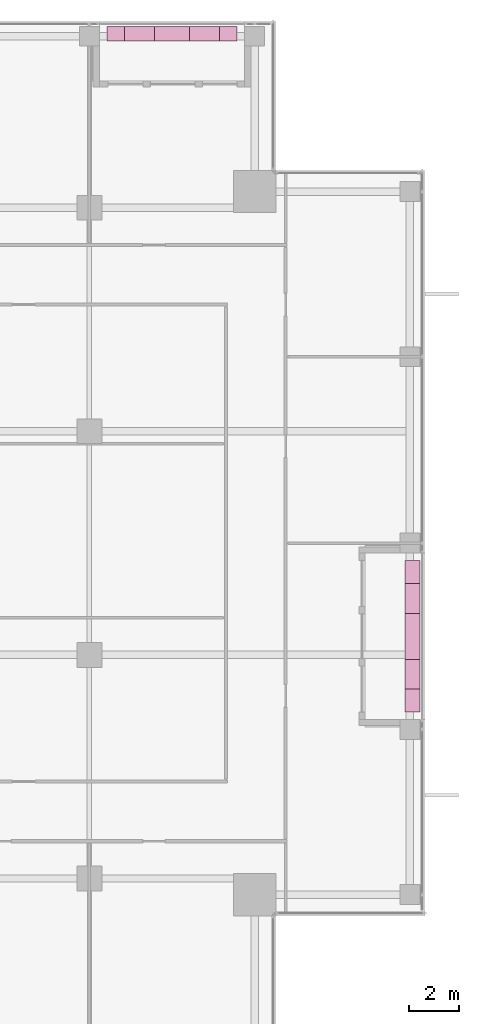
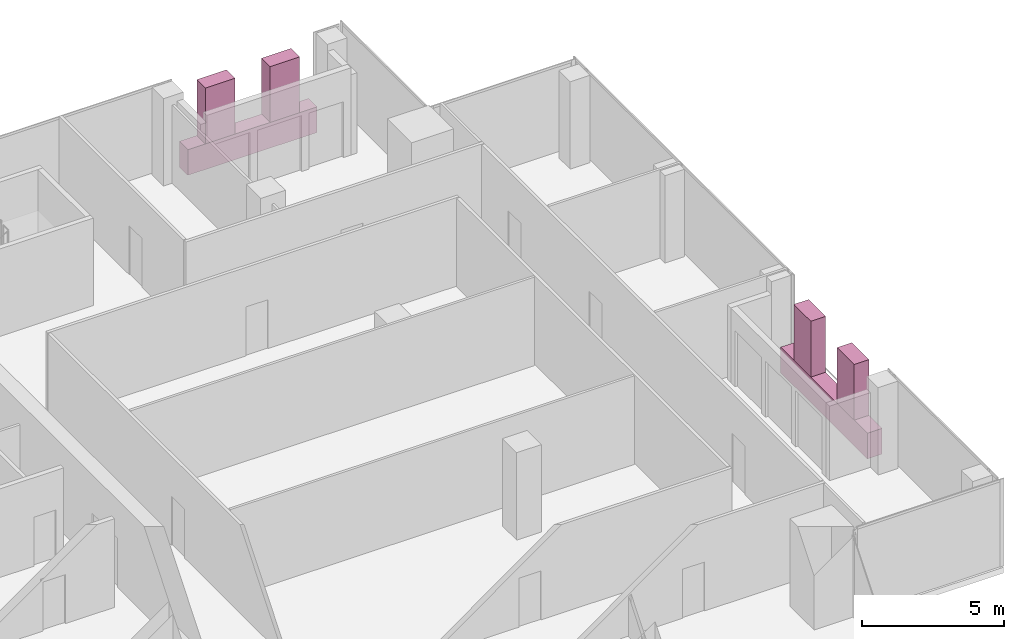
# One storey, part 29 of 29: 6 furnishings.
"""IFC4 building model written with IfcOpenShell, lengths in metres."""

from ifc_helpers import new_model, si_unit, direction, frame, origin, origin_2d, place, context, subcontext, project, spatial, rectangle, extrude, source, transform, mapped, material, type_object, element, save


model = new_model("IFC4")

# Units and contexts
model_context = context("Model", 3, precision=1e-05, world=origin(), true_north=direction((0.0, 1.0)))
body_context = subcontext(model_context, "Body", "Model", "MODEL_VIEW")
ifc_project = project(units=[si_unit("LENGTHUNIT", "METRE"), si_unit("AREAUNIT", "SQUARE_METRE"), si_unit("VOLUMEUNIT", "CUBIC_METRE"), si_unit("PLANEANGLEUNIT", "RADIAN"), si_unit("MASSUNIT", "GRAM", prefix="KILO")], contexts=[model_context])

# Site, building, storey
site_placement = place(None, origin())
site = spatial("IfcSite", under=ifc_project, at=site_placement, CompositionType="ELEMENT")
building_placement = place(site_placement, origin())
building = spatial("IfcBuilding", under=site, at=building_placement, Name="Khomas Fold Tower", CompositionType="ELEMENT")
storey_placement = place(building_placement, frame((0.0, 0.0, 290.199951171875)))
storey = spatial("IfcBuildingStorey", under=building, at=storey_placement, Name="L65", CompositionType="ELEMENT", Elevation=290.199951171875)

# Furnishings
ifc_material_1 = material(Name="Planting")
furnishing_element_type_1 = type_object("IfcFurnishingElementType", Name="BL-Tree Karee", material=ifc_material_1)
shared_shape_1 = source(origin(), body_context, "Body", "SweptSolid", [
    extrude(rectangle(XDim=1.199951171875, YDim=0.60009765625, at=origin_2d()), origin(), (0.0, 0.0, 1.0), 2.39501953125),
])
furnishing_1_placement = place(storey_placement, frame((36.512451171875, 47.5, 1.054931640625), z_axis=(0.0, 0.0, 1.0), x_axis=(1.0, 0.0, 0.0)))
element("IfcFurnishingElement", 1, at=furnishing_1_placement, inside=storey, type_object=furnishing_element_type_1, Name="PLANTER (TREE) Karee BAL-L65-N4-1", context=body_context, shape_type="MappedRepresentation", body=[
    mapped(shared_shape_1, transform((0.0, 0.0, 0.0))),
])
ifc_material_2 = material(Name="Planting")
furnishing_element_type_2 = type_object("IfcFurnishingElementType", Name="BL-Tree Wild olive", material=ifc_material_2)
for number, where, z_axis, x_axis, name in (
    (2, (39.137451171875, 47.5, 1.054931640625), (0.0, 0.0, 1.0), (1.0, 0.0, 0.0), "PLANTER (TREE) Wild olive BAL-L65-N4-2"),
    (3, (47.5, 21.72509765625, 1.054931640625), (0.0, 0.0, 1.0), (0.0, 1.0, 0.0), "PLANTER (TREE) Wild olive BAL-L65-E2-1"),
):
    element("IfcFurnishingElement", number, at=place(storey_placement, frame(where, z_axis=z_axis, x_axis=x_axis)), inside=storey, type_object=furnishing_element_type_2, Name=name, context=body_context, shape_type="MappedRepresentation", body=[
        mapped(shared_shape_1, transform((0.0, 0.0, 0.0))),
    ])
ifc_material_3 = material(Name="Planting")
furnishing_element_type_3 = type_object("IfcFurnishingElementType", Name="BL-Tree Shepherd's tree", material=ifc_material_3)
furnishing_2_placement = place(storey_placement, frame((47.5, 24.77490234375, 1.054931640625), z_axis=(0.0, 0.0, 1.0), x_axis=(0.0, 1.0, 0.0)))
element("IfcFurnishingElement", 4, at=furnishing_2_placement, inside=storey, type_object=furnishing_element_type_3, Name="PLANTER (TREE) Shepherd's tree BAL-L65-E2-2", context=body_context, shape_type="MappedRepresentation", body=[
    mapped(shared_shape_1, transform((0.0, 0.0, 0.0))),
])
ifc_material_4 = material(Name="Precast concrete C40/50", Category="concrete")
furnishing_element_type_4 = type_object("IfcFurnishingElementType", Name="BL-Structural planter box", material=ifc_material_4)
shared_shape_2 = source(origin(), body_context, "Body", "SweptSolid", [
    extrude(rectangle(XDim=5.25, YDim=0.60009765625, at=origin_2d()), origin(), (0.0, 0.0, 1.0), 1.10009765625),
])
furnishing_3_placement = place(storey_placement, frame((37.824951171875, 47.5, -0.044921875), z_axis=(0.0, 0.0, 1.0), x_axis=(1.0, 0.0, 0.0)))
element("IfcFurnishingElement", 5, at=furnishing_3_placement, inside=storey, type_object=furnishing_element_type_4, Name="PLANTER BAL-L65-N4", context=body_context, shape_type="MappedRepresentation", body=[
    mapped(shared_shape_2, transform((0.0, 0.0, 0.0))),
])
shared_shape_3 = source(origin(), body_context, "Body", "SweptSolid", [
    extrude(rectangle(XDim=6.10009765625, YDim=0.60009765625, at=origin_2d()), origin(), (0.0, 0.0, 1.0), 1.10009765625),
])
furnishing_4_placement = place(storey_placement, frame((47.5, 23.25, -0.044921875), z_axis=(0.0, 0.0, 1.0), x_axis=(0.0, 1.0, 0.0)))
element("IfcFurnishingElement", 6, at=furnishing_4_placement, inside=storey, type_object=furnishing_element_type_4, Name="PLANTER BAL-L65-E2", context=body_context, shape_type="MappedRepresentation", body=[
    mapped(shared_shape_3, transform((0.0, 0.0, 0.0))),
])

save(model, "model.ifc")
